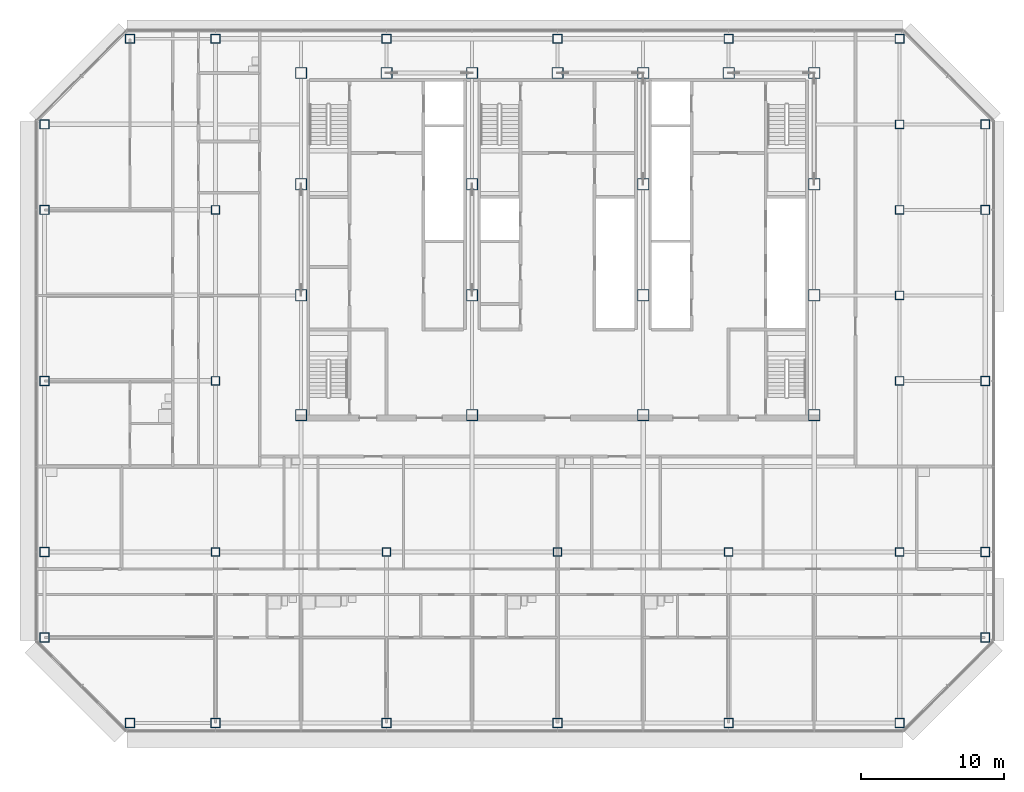
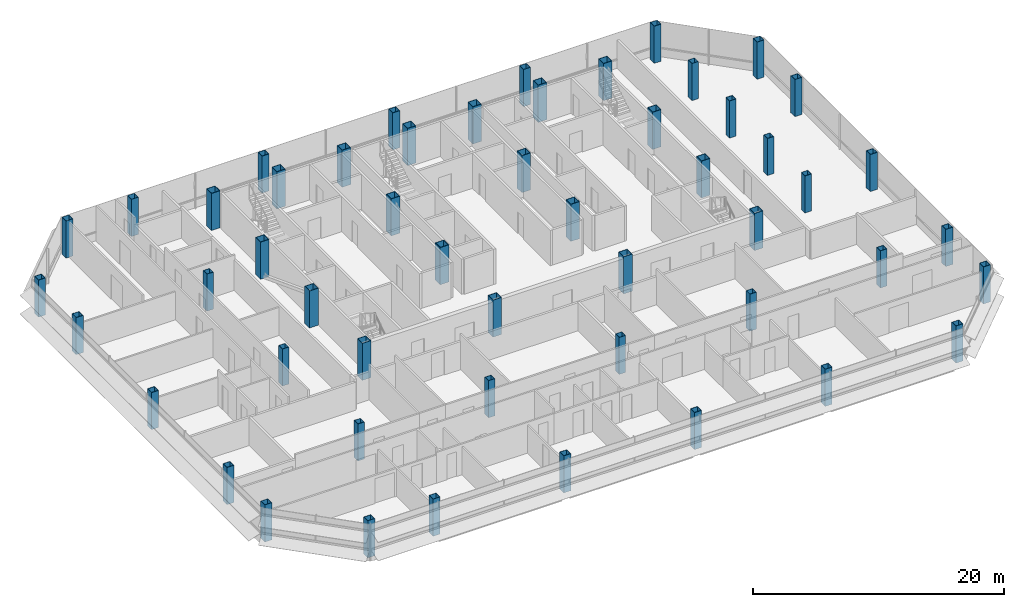
# One storey, part 1 of 27: 52 columns.
"""IFC4 building model written with IfcOpenShell, lengths in metres."""

from ifc_helpers import new_model, si_unit, direction, frame, origin, origin_2d, place, context, subcontext, project, spatial, hollow_rectangle, extrude, material, material_profile, profile_set, type_object, element, save


model = new_model("IFC4")

# Units and contexts
model_context = context("Model", 3, precision=1e-05, world=origin(), true_north=direction((0.0, 1.0)))
body_context = subcontext(model_context, "Body", "Model", "MODEL_VIEW")
ifc_project = project(units=[si_unit("LENGTHUNIT", "METRE"), si_unit("AREAUNIT", "SQUARE_METRE"), si_unit("VOLUMEUNIT", "CUBIC_METRE"), si_unit("PLANEANGLEUNIT", "RADIAN"), si_unit("MASSUNIT", "GRAM", prefix="KILO")], contexts=[model_context])

# Site, building, storey
site_placement = place(None, origin())
site = spatial("IfcSite", under=ifc_project, at=site_placement, CompositionType="ELEMENT")
building_placement = place(site_placement, origin())
building = spatial("IfcBuilding", under=site, at=building_placement, Name="Sorahane Residences", CompositionType="ELEMENT")
storey_placement = place(building_placement, frame((0.0, 0.0, 226.199951171875)))
storey = spatial("IfcBuildingStorey", under=building, at=storey_placement, Name="L53", CompositionType="ELEMENT", Elevation=226.199951171875)

# Columns
ifc_material_1 = material(Name="Steel Q355B", Category="steel")
ifc_material_profile_1 = material_profile(ifc_material_1, hollow_rectangle(XDim=0.60009765625, YDim=0.60009765625, WallThickness=0.028076171875, at=origin_2d()), Name="BOX 600x600x28")
ifc_profile_set_1 = profile_set([ifc_material_profile_1], Name="Steel Q355B")
column_type_1 = type_object("IfcColumnType", Name="Steel box column BOX 600x600x28 Q355B", PredefinedType="COLUMN", material=ifc_profile_set_1)
for number, where, z_axis, x_axis, name in (
    (1, (0.0, 12.0, 0.0), (0.0, 0.0, 1.0), (1.0, 0.0, 0.0), "Column L53 0/12"),
    (2, (0.0, 24.0, 0.0), (0.0, 0.0, 1.0), (1.0, 0.0, 0.0), "Column L53 0/24"),
    (3, (0.0, 36.0, 0.0), (0.0, 0.0, 1.0), (1.0, 0.0, 0.0), "Column L53 0/36"),
    (4, (12.0, 12.0, 0.0), (0.0, 0.0, 1.0), (1.0, 0.0, 0.0), "Column L53 12/12"),
    (5, (24.0, 12.0, 0.0), (0.0, 0.0, 1.0), (1.0, 0.0, 0.0), "Column L53 24/12"),
    (6, (36.0, 12.0, 0.0), (0.0, 0.0, 1.0), (1.0, 0.0, 0.0), "Column L53 36/12"),
    (7, (48.0, 12.0, 0.0), (0.0, 0.0, 1.0), (1.0, 0.0, 0.0), "Column L53 48/12"),
    (8, (48.0, 24.0, 0.0), (0.0, 0.0, 1.0), (1.0, 0.0, 0.0), "Column L53 48/24"),
    (9, (48.0, 30.0, 0.0), (0.0, 0.0, 1.0), (1.0, 0.0, 0.0), "Column L53 48/30"),
    (10, (48.0, 36.0, 0.0), (0.0, 0.0, 1.0), (1.0, 0.0, 0.0), "Column L53 48/36"),
    (11, (48.0, 42.0, 0.0), (0.0, 0.0, 1.0), (1.0, 0.0, 0.0), "Column L53 48/42"),
):
    element("IfcColumn", number, at=place(storey_placement, frame(where, z_axis=z_axis, x_axis=x_axis)), inside=storey, type_object=column_type_1, Name=name, PredefinedType="COLUMN", context=body_context, shape_type="SweptSolid", body=[
        extrude(hollow_rectangle(XDim=0.60009765625, YDim=0.60009765625, WallThickness=0.028076171875, at=origin_2d()), origin(), (0.0, 0.0, 1.0), 3.60009765625),
    ])
ifc_material_2 = material(Name="Steel Q355B", Category="steel")
ifc_material_profile_2 = material_profile(ifc_material_2, hollow_rectangle(XDim=0.64990234375, YDim=0.64990234375, WallThickness=0.031982421875, at=origin_2d()), Name="BOX 650x650x32")
ifc_profile_set_2 = profile_set([ifc_material_profile_2], Name="Steel Q355B")
column_type_2 = type_object("IfcColumnType", Name="Steel box column BOX 650x650x32 Q355B", PredefinedType="COLUMN", material=ifc_profile_set_2)
for number, where, z_axis, x_axis, name in (
    (12, (-12.0, 6.0, 0.0), (0.0, 0.0, 1.0), (1.0, 0.0, 0.0), "Column L53 m12/6"),
    (13, (-12.0, 12.0, 0.0), (0.0, 0.0, 1.0), (1.0, 0.0, 0.0), "Column L53 m12/12"),
    (14, (-12.0, 24.0, 0.0), (0.0, 0.0, 1.0), (1.0, 0.0, 0.0), "Column L53 m12/24"),
    (15, (-12.0, 36.0, 0.0), (0.0, 0.0, 1.0), (1.0, 0.0, 0.0), "Column L53 m12/36"),
    (16, (-12.0, 42.0, 0.0), (0.0, 0.0, 1.0), (1.0, 0.0, 0.0), "Column L53 m12/42"),
    (17, (-6.0, 0.0, 0.0), (0.0, 0.0, 1.0), (1.0, 0.0, 0.0), "Column L53 m6/0"),
    (18, (-6.0, 48.0, 0.0), (0.0, 0.0, 1.0), (1.0, 0.0, 0.0), "Column L53 m6/48"),
    (19, (0.0, 0.0, 0.0), (0.0, 0.0, 1.0), (1.0, 0.0, 0.0), "Column L53 0/0"),
    (20, (0.0, 48.0, 0.0), (0.0, 0.0, 1.0), (1.0, 0.0, 0.0), "Column L53 0/48"),
    (21, (12.0, 0.0, 0.0), (0.0, 0.0, 1.0), (1.0, 0.0, 0.0), "Column L53 12/0"),
    (22, (12.0, 48.0, 0.0), (0.0, 0.0, 1.0), (1.0, 0.0, 0.0), "Column L53 12/48"),
    (23, (24.0, 0.0, 0.0), (0.0, 0.0, 1.0), (1.0, 0.0, 0.0), "Column L53 24/0"),
    (24, (24.0, 48.0, 0.0), (0.0, 0.0, 1.0), (1.0, 0.0, 0.0), "Column L53 24/48"),
    (25, (36.0, 0.0, 0.0), (0.0, 0.0, 1.0), (1.0, 0.0, 0.0), "Column L53 36/0"),
    (26, (36.0, 48.0, 0.0), (0.0, 0.0, 1.0), (1.0, 0.0, 0.0), "Column L53 36/48"),
    (27, (48.0, 0.0, 0.0), (0.0, 0.0, 1.0), (1.0, 0.0, 0.0), "Column L53 48/0"),
    (28, (48.0, 48.0, 0.0), (0.0, 0.0, 1.0), (1.0, 0.0, 0.0), "Column L53 48/48"),
    (29, (54.0, 6.0, 0.0), (0.0, 0.0, 1.0), (1.0, 0.0, 0.0), "Column L53 54/6"),
    (30, (54.0, 12.0, 0.0), (0.0, 0.0, 1.0), (1.0, 0.0, 0.0), "Column L53 54/12"),
    (31, (54.0, 24.0, 0.0), (0.0, 0.0, 1.0), (1.0, 0.0, 0.0), "Column L53 54/24"),
    (32, (54.0, 36.0, 0.0), (0.0, 0.0, 1.0), (1.0, 0.0, 0.0), "Column L53 54/36"),
    (33, (54.0, 42.0, 0.0), (0.0, 0.0, 1.0), (1.0, 0.0, 0.0), "Column L53 54/42"),
):
    element("IfcColumn", number, at=place(storey_placement, frame(where, z_axis=z_axis, x_axis=x_axis)), inside=storey, type_object=column_type_2, Name=name, PredefinedType="COLUMN", context=body_context, shape_type="SweptSolid", body=[
        extrude(hollow_rectangle(XDim=0.64990234375, YDim=0.64990234375, WallThickness=0.031982421875, at=origin_2d()), origin(), (0.0, 0.0, 1.0), 3.60009765625),
    ])
ifc_material_3 = material(Name="Steel Q355B", Category="steel")
ifc_material_profile_3 = material_profile(ifc_material_3, hollow_rectangle(XDim=0.800048828125, YDim=0.800048828125, WallThickness=0.0400390625, at=origin_2d()), Name="BOX 800x800x40")
ifc_profile_set_3 = profile_set([ifc_material_profile_3], Name="Steel Q355B")
column_type_3 = type_object("IfcColumnType", Name="Steel box column BOX 800x800x40 Q355B", PredefinedType="COLUMN", material=ifc_profile_set_3)
for number, where, z_axis, x_axis, name in (
    (34, (6.0, 21.60009765625, 0.0), (0.0, 0.0, 1.0), (1.0, 0.0, 0.0), "Column L53 6/21.6"),
    (35, (6.0, 30.0, 0.0), (0.0, 0.0, 1.0), (1.0, 0.0, 0.0), "Column L53 6/30"),
    (36, (6.0, 37.800048828125, 0.0), (0.0, 0.0, 1.0), (1.0, 0.0, 0.0), "Column L53 6/37.8"),
    (37, (6.0, 45.60009765625, 0.0), (0.0, 0.0, 1.0), (1.0, 0.0, 0.0), "Column L53 6/45.6"),
    (38, (12.0, 45.60009765625, 0.0), (0.0, 0.0, 1.0), (1.0, 0.0, 0.0), "Column L53 12/45.6"),
    (39, (18.0, 21.60009765625, 0.0), (0.0, 0.0, 1.0), (1.0, 0.0, 0.0), "Column L53 18/21.6"),
    (40, (18.0, 30.0, 0.0), (0.0, 0.0, 1.0), (1.0, 0.0, 0.0), "Column L53 18/30"),
    (41, (18.0, 37.800048828125, 0.0), (0.0, 0.0, 1.0), (1.0, 0.0, 0.0), "Column L53 18/37.8"),
    (42, (18.0, 45.60009765625, 0.0), (0.0, 0.0, 1.0), (1.0, 0.0, 0.0), "Column L53 18/45.6"),
    (43, (24.0, 45.60009765625, 0.0), (0.0, 0.0, 1.0), (1.0, 0.0, 0.0), "Column L53 24/45.6"),
    (44, (30.0, 21.60009765625, 0.0), (0.0, 0.0, 1.0), (1.0, 0.0, 0.0), "Column L53 30/21.6"),
    (45, (30.0, 30.0, 0.0), (0.0, 0.0, 1.0), (1.0, 0.0, 0.0), "Column L53 30/30"),
    (46, (30.0, 37.800048828125, 0.0), (0.0, 0.0, 1.0), (1.0, 0.0, 0.0), "Column L53 30/37.8"),
    (47, (30.0, 45.60009765625, 0.0), (0.0, 0.0, 1.0), (1.0, 0.0, 0.0), "Column L53 30/45.6"),
    (48, (36.0, 45.60009765625, 0.0), (0.0, 0.0, 1.0), (1.0, 0.0, 0.0), "Column L53 36/45.6"),
    (49, (42.0, 21.60009765625, 0.0), (0.0, 0.0, 1.0), (1.0, 0.0, 0.0), "Column L53 42/21.6"),
    (50, (42.0, 30.0, 0.0), (0.0, 0.0, 1.0), (1.0, 0.0, 0.0), "Column L53 42/30"),
    (51, (42.0, 37.800048828125, 0.0), (0.0, 0.0, 1.0), (1.0, 0.0, 0.0), "Column L53 42/37.8"),
    (52, (42.0, 45.60009765625, 0.0), (0.0, 0.0, 1.0), (1.0, 0.0, 0.0), "Column L53 42/45.6"),
):
    element("IfcColumn", number, at=place(storey_placement, frame(where, z_axis=z_axis, x_axis=x_axis)), inside=storey, type_object=column_type_3, Name=name, PredefinedType="COLUMN", context=body_context, shape_type="SweptSolid", body=[
        extrude(hollow_rectangle(XDim=0.800048828125, YDim=0.800048828125, WallThickness=0.0400390625, at=origin_2d()), origin(), (0.0, 0.0, 1.0), 3.60009765625),
    ])

save(model, "model.ifc")
